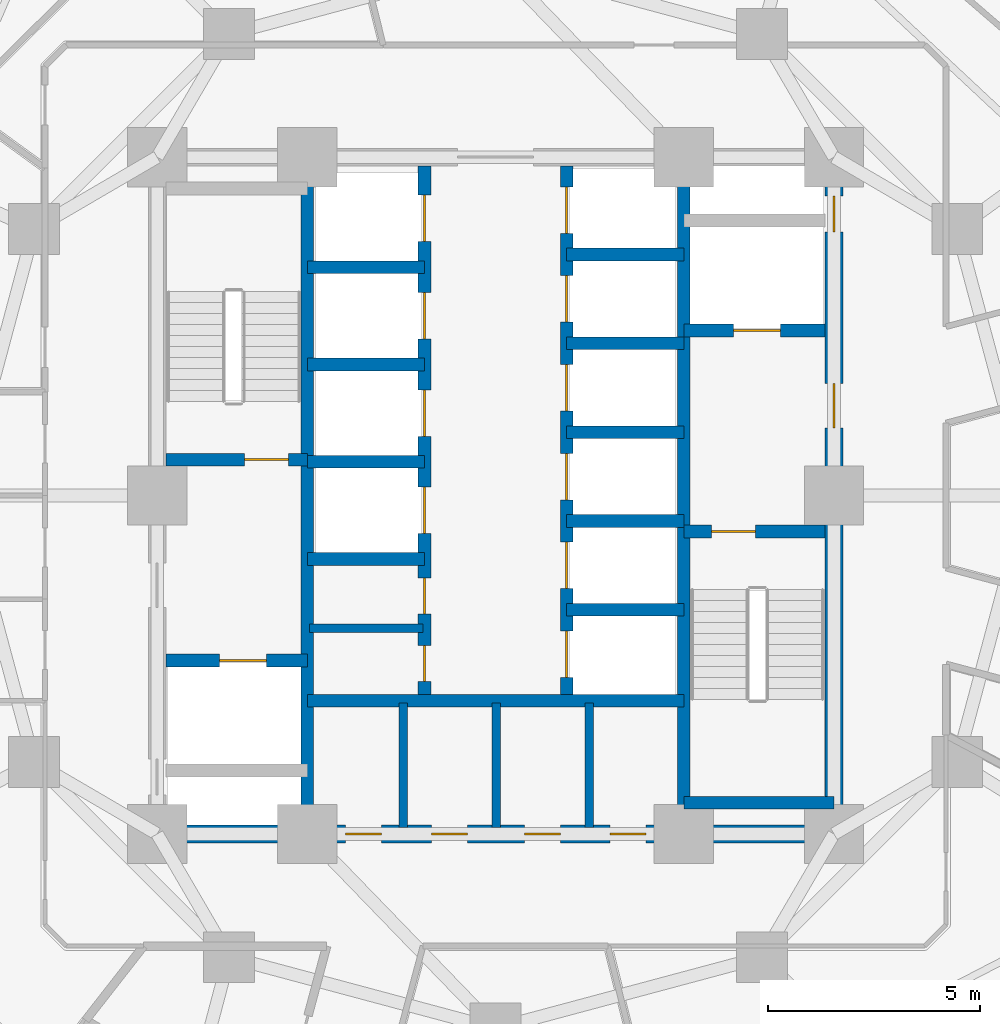
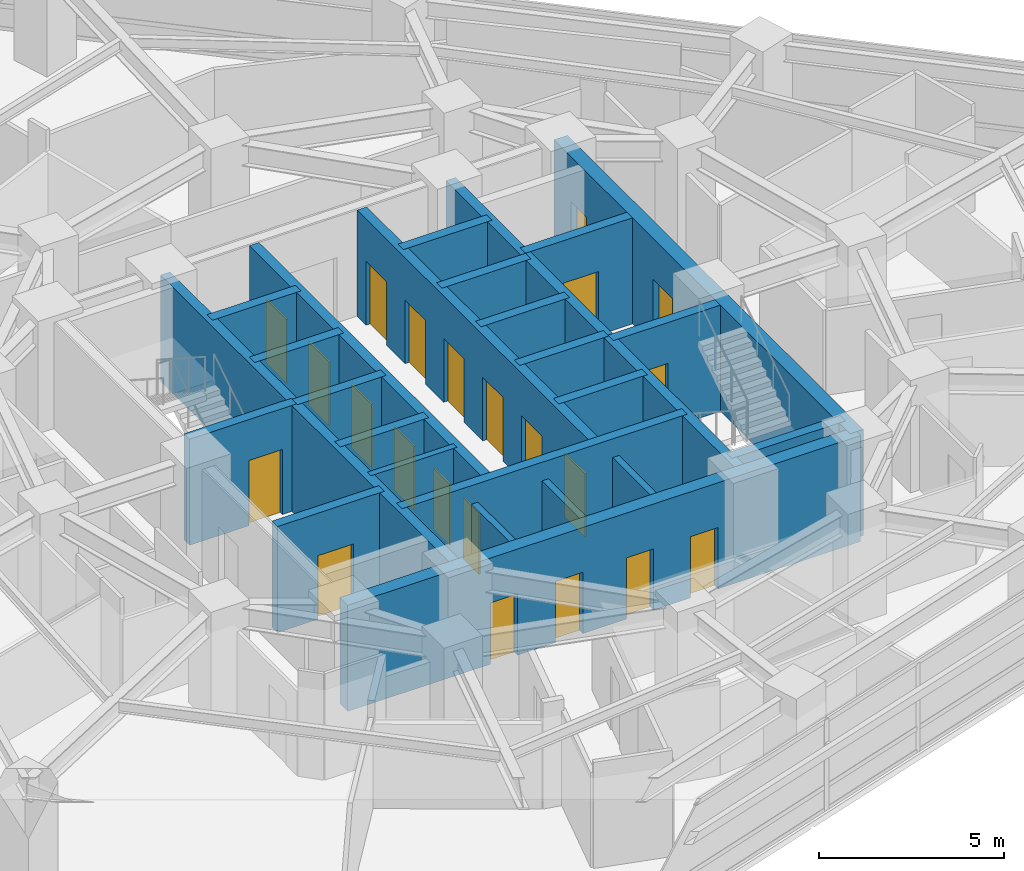
# One storey, part 8 of 14: 25 walls, 22 doors, 22 openings.
"""IFC4 building model written with IfcOpenShell, lengths in metres."""

from ifc_helpers import new_model, si_unit, direction, frame, frame_2d, origin, place, context, subcontext, project, spatial, rectangle, extrude, material, layer, layer_set, type_object, element, fill, save


model = new_model("IFC4")

# Units and contexts
model_context = context("Model", 3, precision=1e-05, world=origin(), true_north=direction((0.0, 1.0)))
body_context = subcontext(model_context, "Body", "Model", "MODEL_VIEW")
ifc_project = project(units=[si_unit("LENGTHUNIT", "METRE"), si_unit("AREAUNIT", "SQUARE_METRE"), si_unit("VOLUMEUNIT", "CUBIC_METRE"), si_unit("PLANEANGLEUNIT", "RADIAN"), si_unit("MASSUNIT", "GRAM", prefix="KILO")], contexts=[model_context])

# Site, building, storey
site_placement = place(None, origin())
site = spatial("IfcSite", under=ifc_project, at=site_placement, CompositionType="ELEMENT")
building_placement = place(site_placement, origin())
building = spatial("IfcBuilding", under=site, at=building_placement, Name="Terralouvre Media Tower", CompositionType="ELEMENT")
storey_placement = place(building_placement, frame((0.0, 0.0, 112.5)))
storey = spatial("IfcBuildingStorey", under=building, at=storey_placement, Name="L28", CompositionType="ELEMENT", Elevation=112.5)

# Walls
ifc_material_1 = material(Name="Concrete C50/60", Category="concrete")
ifc_layer_1 = layer(ifc_material_1, 0.300048828125, Name="Core Internal Shaft Wall CW-300")
ifc_layer_set_1 = layer_set([ifc_layer_1], Name="Concrete C50/60")
wall_type_1 = type_object("IfcWallType", Name="Core Internal Shaft Wall CW-300", PredefinedType="SHEAR", material=ifc_layer_set_1)
for number, where, z_axis, x_axis, name in (
    (1, (-4.449951171875, -7.7900390625, 0.0), (0.0, 0.0, 1.0), (0.0, 1.0, 0.0), "L28 Core Shaft Wall SPW"),
    (2, (4.449951171875, -7.7900390625, 0.0), (0.0, 0.0, 1.0), (0.0, 1.0, 0.0), "L28 Core Shaft Wall SPE"),
):
    element("IfcWall", number, at=place(storey_placement, frame(where, z_axis=z_axis, x_axis=x_axis)), inside=storey, type_object=wall_type_1, Name=name, PredefinedType="SHEAR", context=body_context, shape_type="SweptSolid", body=[
        extrude(rectangle(XDim=15.580078125, YDim=0.300048828125, at=frame_2d((7.7900390625, 0.0))), origin(), (0.0, 0.0, 1.0), 3.5),
    ])

# Wall, opening, door
wall_1_placement = place(storey_placement, frame((-7.7900390625, 0.85009765625, 0.0), z_axis=(0.0, 0.0, 1.0), x_axis=(1.0, 0.0, 0.0)))
wall_1 = element("IfcWall", 3, at=wall_1_placement, inside=storey, type_object=wall_type_1, Name="L28 Core Shaft Wall ST1D", PredefinedType="SHEAR", context=body_context, shape_type="SweptSolid", body=[
    extrude(rectangle(XDim=3.340087890625, YDim=0.300048828125, at=frame_2d((1.669921875, 0.0))), origin(), (0.0, 0.0, 1.0), 3.5),
])
opening_1_placement = place(wall_1_placement, frame((1.85009765625, 0.0, 0.0)))
opening_1 = element("IfcOpeningElement", 4, at=opening_1_placement, cuts=wall_1, Name="Opening FD-01-105X215", PredefinedType="OPENING", context=body_context, shape_type="SweptSolid", body=[
    extrude(rectangle(XDim=1.050048828125, YDim=2.14990234375, at=frame_2d((0.52490234375, 1.074951171875))), frame((0.0, 0.159912109375, 0.0), z_axis=(0.0, -1.0, 0.0), x_axis=(1.0, 0.0, 0.0)), (0.0, 0.0, 1.0), 0.320068359375),
])
ifc_material_2 = material(Name="Galvanised steel fire-resisting leaf", Category="steel")
door_type_1 = type_object("IfcDoorType", Name="Stair and Firefighting Lobby Fire Door FD-01 (1050x2150)", OperationType="NOTDEFINED", PredefinedType="DOOR", material=ifc_material_2)
door_1_placement = place(opening_1_placement, origin())
door_1 = element("IfcDoor", 5, at=door_1_placement, inside=storey, type_object=door_type_1, Name="L28 ST-01 Exit Stair Door", OperationType="SINGLE_SWING_LEFT", OverallHeight=2.14990234375, OverallWidth=1.050048828125, PredefinedType="DOOR", context=body_context, shape_type="SweptSolid", body=[
    extrude(rectangle(XDim=1.050048828125, YDim=2.14990234375, at=frame_2d((0.52490234375, 1.074951171875))), frame((0.0, 0.02490234375, 0.0), z_axis=(0.0, -1.0, 0.0), x_axis=(1.0, 0.0, 0.0)), (0.0, 0.0, 1.0), 0.050048828125),
])
fill(opening_1, door_1)

wall_2_placement = place(storey_placement, frame((4.449951171875, -0.85009765625, 0.0), z_axis=(0.0, 0.0, 1.0), x_axis=(1.0, 0.0, 0.0)))
wall_2 = element("IfcWall", 6, at=wall_2_placement, inside=storey, type_object=wall_type_1, Name="L28 Core Shaft Wall ST2D", PredefinedType="SHEAR", context=body_context, shape_type="SweptSolid", body=[
    extrude(rectangle(XDim=3.340087890625, YDim=0.300048828125, at=frame_2d((1.669921875, 0.0))), origin(), (0.0, 0.0, 1.0), 3.5),
])
opening_2_placement = place(wall_2_placement, frame((0.64990234375, 0.0, 0.0)))
opening_2 = element("IfcOpeningElement", 7, at=opening_2_placement, cuts=wall_2, Name="Opening FD-01-105X215", PredefinedType="OPENING", context=body_context, shape_type="SweptSolid", body=[
    extrude(rectangle(XDim=1.050048828125, YDim=2.14990234375, at=frame_2d((0.52490234375, 1.074951171875))), frame((0.0, 0.159912109375, 0.0), z_axis=(0.0, -1.0, 0.0), x_axis=(1.0, 0.0, 0.0)), (0.0, 0.0, 1.0), 0.320068359375),
])
door_2_placement = place(opening_2_placement, origin())
door_2 = element("IfcDoor", 8, at=door_2_placement, inside=storey, type_object=door_type_1, Name="L28 ST-02 Exit Stair Door", OperationType="SINGLE_SWING_RIGHT", OverallHeight=2.14990234375, OverallWidth=1.050048828125, PredefinedType="DOOR", context=body_context, shape_type="SweptSolid", body=[
    extrude(rectangle(XDim=1.050048828125, YDim=2.14990234375, at=frame_2d((0.52490234375, 1.074951171875))), frame((0.0, 0.02490234375, 0.0), z_axis=(0.0, -1.0, 0.0), x_axis=(1.0, 0.0, 0.0)), (0.0, 0.0, 1.0), 0.050048828125),
])
fill(opening_2, door_2)

# Wall
wall_3_placement = place(storey_placement, frame((4.449951171875, -7.260009765625, 0.0), z_axis=(0.0, 0.0, 1.0), x_axis=(1.0, 0.0, 0.0)))
element("IfcWall", 9, at=wall_3_placement, inside=storey, type_object=wall_type_1, Name="L28 Core Shaft Wall ST2F", PredefinedType="SHEAR", context=body_context, shape_type="SweptSolid", body=[
    extrude(rectangle(XDim=3.550048828125, YDim=0.300048828125, at=frame_2d((1.77490234375, 0.0))), origin(), (0.0, 0.0, 1.0), 3.5),
])

# Wall, opening, door
wall_4_placement = place(storey_placement, frame((-7.7900390625, -3.89990234375, 0.0), z_axis=(0.0, 0.0, 1.0), x_axis=(1.0, 0.0, 0.0)))
wall_4 = element("IfcWall", 10, at=wall_4_placement, inside=storey, type_object=wall_type_1, Name="L28 Core Shaft Wall FF1N", PredefinedType="SHEAR", context=body_context, shape_type="SweptSolid", body=[
    extrude(rectangle(XDim=3.340087890625, YDim=0.300048828125, at=frame_2d((1.669921875, 0.0))), origin(), (0.0, 0.0, 1.0), 3.5),
])
opening_3_placement = place(wall_4_placement, frame((1.27001953125, 0.0, 0.0)))
opening_3 = element("IfcOpeningElement", 11, at=opening_3_placement, cuts=wall_4, Name="Opening LD-FF", PredefinedType="OPENING", context=body_context, shape_type="SweptSolid", body=[
    extrude(rectangle(XDim=1.10009765625, YDim=2.10009765625, at=frame_2d((0.550048828125, 1.050048828125))), frame((0.0, 0.159912109375, 0.0), z_axis=(0.0, -1.0, 0.0), x_axis=(1.0, 0.0, 0.0)), (0.0, 0.0, 1.0), 0.320068359375),
])
ifc_material_3 = material(Name="Stainless steel 316 handrail and balustrade", Category="steel")
door_type_2 = type_object("IfcDoorType", Name="Firefighting Lift Sliding Landing Door LD-FF", OperationType="SLIDING_TO_LEFT", PredefinedType="DOOR", material=ifc_material_3)
door_3_placement = place(opening_3_placement, origin())
door_3 = element("IfcDoor", 12, at=door_3_placement, inside=storey, type_object=door_type_2, Name="L28 Firefighting Lift FFL-01 Landing Door", OperationType="SLIDING_TO_LEFT", OverallHeight=2.10009765625, OverallWidth=1.10009765625, PredefinedType="DOOR", context=body_context, shape_type="SweptSolid", body=[
    extrude(rectangle(XDim=1.10009765625, YDim=2.10009765625, at=frame_2d((0.550048828125, 1.050048828125))), frame((0.0, 0.02490234375, 0.0), z_axis=(0.0, -1.0, 0.0), x_axis=(1.0, 0.0, 0.0)), (0.0, 0.0, 1.0), 0.050048828125),
])
fill(opening_3, door_3)

wall_5_placement = place(storey_placement, frame((4.449951171875, 3.89990234375, 0.0), z_axis=(0.0, 0.0, 1.0), x_axis=(1.0, 0.0, 0.0)))
wall_5 = element("IfcWall", 13, at=wall_5_placement, inside=storey, type_object=wall_type_1, Name="L28 Core Shaft Wall FF2S", PredefinedType="SHEAR", context=body_context, shape_type="SweptSolid", body=[
    extrude(rectangle(XDim=3.340087890625, YDim=0.300048828125, at=frame_2d((1.669921875, 0.0))), origin(), (0.0, 0.0, 1.0), 3.5),
])
opening_4_placement = place(wall_5_placement, frame((1.179931640625, 0.0, 0.0)))
opening_4 = element("IfcOpeningElement", 14, at=opening_4_placement, cuts=wall_5, Name="Opening LD-FF", PredefinedType="OPENING", context=body_context, shape_type="SweptSolid", body=[
    extrude(rectangle(XDim=1.10009765625, YDim=2.10009765625, at=frame_2d((0.550048828125, 1.050048828125))), frame((0.0, 0.159912109375, 0.0), z_axis=(0.0, -1.0, 0.0), x_axis=(1.0, 0.0, 0.0)), (0.0, 0.0, 1.0), 0.320068359375),
])
door_4_placement = place(opening_4_placement, origin())
door_4 = element("IfcDoor", 15, at=door_4_placement, inside=storey, type_object=door_type_2, Name="L28 Firefighting Lift FFL-02 Landing Door", OperationType="SLIDING_TO_LEFT", OverallHeight=2.10009765625, OverallWidth=1.10009765625, PredefinedType="DOOR", context=body_context, shape_type="SweptSolid", body=[
    extrude(rectangle(XDim=1.10009765625, YDim=2.10009765625, at=frame_2d((0.550048828125, 1.050048828125))), frame((0.0, 0.02490234375, 0.0), z_axis=(0.0, -1.0, 0.0), x_axis=(1.0, 0.0, 0.0)), (0.0, 0.0, 1.0), 0.050048828125),
])
fill(opening_4, door_4)

# Wall
wall_6_placement = place(storey_placement, frame((-4.449951171875, -4.85009765625, 0.0), z_axis=(0.0, 0.0, 1.0), x_axis=(1.0, 0.0, 0.0)))
element("IfcWall", 16, at=wall_6_placement, inside=storey, type_object=wall_type_1, Name="L28 Core Shaft Wall CSBN", PredefinedType="SHEAR", context=body_context, shape_type="SweptSolid", body=[
    extrude(rectangle(XDim=8.89990234375, YDim=0.300048828125, at=frame_2d((4.449951171875, 0.0))), origin(), (0.0, 0.0, 1.0), 3.5),
])

# Wall, openings, doors
wall_7_placement = place(storey_placement, frame((-1.679931640625, -4.85009765625, 0.0), z_axis=(0.0, 0.0, 1.0), x_axis=(0.0, 1.0, 0.0)))
wall_7 = element("IfcWall", 17, at=wall_7_placement, inside=storey, type_object=wall_type_1, Name="L28 Core Shaft Wall LBW", PredefinedType="SHEAR", context=body_context, shape_type="SweptSolid", body=[
    extrude(rectangle(XDim=12.64013671875, YDim=0.300048828125, at=frame_2d((6.320068359375, 0.0))), origin(), (0.0, 0.0, 1.0), 3.5),
])
opening_5_placement = place(wall_7_placement, frame((3.949951171875, 0.0, 0.0)))
opening_5 = element("IfcOpeningElement", 18, at=opening_5_placement, cuts=wall_7, Name="Opening LD-PL", PredefinedType="OPENING", context=body_context, shape_type="SweptSolid", body=[
    extrude(rectangle(XDim=1.10009765625, YDim=2.10009765625, at=frame_2d((0.550048828125, 1.050048828125))), frame((0.0, 0.159912109375, 0.0), z_axis=(0.0, -1.0, 0.0), x_axis=(1.0, 0.0, 0.0)), (0.0, 0.0, 1.0), 0.320068359375),
])
opening_6_placement = place(wall_7_placement, frame((6.25, 0.0, 0.0)))
opening_6 = element("IfcOpeningElement", 19, at=opening_6_placement, cuts=wall_7, Name="Opening LD-PL", PredefinedType="OPENING", context=body_context, shape_type="SweptSolid", body=[
    extrude(rectangle(XDim=1.10009765625, YDim=2.10009765625, at=frame_2d((0.550048828125, 1.050048828125))), frame((0.0, 0.159912109375, 0.0), z_axis=(0.0, -1.0, 0.0), x_axis=(1.0, 0.0, 0.0)), (0.0, 0.0, 1.0), 0.320068359375),
])
opening_7_placement = place(wall_7_placement, frame((8.550048828125, 0.0, 0.0)))
opening_7 = element("IfcOpeningElement", 20, at=opening_7_placement, cuts=wall_7, Name="Opening LD-PL", PredefinedType="OPENING", context=body_context, shape_type="SweptSolid", body=[
    extrude(rectangle(XDim=1.10009765625, YDim=2.10009765625, at=frame_2d((0.550048828125, 1.050048828125))), frame((0.0, 0.159912109375, 0.0), z_axis=(0.0, -1.0, 0.0), x_axis=(1.0, 0.0, 0.0)), (0.0, 0.0, 1.0), 0.320068359375),
])
opening_8_placement = place(wall_7_placement, frame((10.85009765625, 0.0, 0.0)))
opening_8 = element("IfcOpeningElement", 21, at=opening_8_placement, cuts=wall_7, Name="Opening LD-PL", PredefinedType="OPENING", context=body_context, shape_type="SweptSolid", body=[
    extrude(rectangle(XDim=1.10009765625, YDim=2.10009765625, at=frame_2d((0.550048828125, 1.050048828125))), frame((0.0, 0.159912109375, 0.0), z_axis=(0.0, -1.0, 0.0), x_axis=(1.0, 0.0, 0.0)), (0.0, 0.0, 1.0), 0.320068359375),
])
opening_9_placement = place(wall_7_placement, frame((0.449951171875, 0.0, 0.0)))
opening_9 = element("IfcOpeningElement", 22, at=opening_9_placement, cuts=wall_7, Name="Opening TD-R1", PredefinedType="OPENING", context=body_context, shape_type="SweptSolid", body=[
    extrude(rectangle(XDim=0.85009765625, YDim=2.02001953125, at=frame_2d((0.425048828125, 1.010009765625))), frame((0.0, 0.159912109375, 0.0), z_axis=(0.0, -1.0, 0.0), x_axis=(1.0, 0.0, 0.0)), (0.0, 0.0, 1.0), 0.320068359375),
])
opening_10_placement = place(wall_7_placement, frame((2.050048828125, 0.0, 0.0)))
opening_10 = element("IfcOpeningElement", 23, at=opening_10_placement, cuts=wall_7, Name="Opening TD-R1", PredefinedType="OPENING", context=body_context, shape_type="SweptSolid", body=[
    extrude(rectangle(XDim=0.85009765625, YDim=2.02001953125, at=frame_2d((0.425048828125, 1.010009765625))), frame((0.0, 0.159912109375, 0.0), z_axis=(0.0, -1.0, 0.0), x_axis=(1.0, 0.0, 0.0)), (0.0, 0.0, 1.0), 0.320068359375),
])
ifc_material_4 = material(Name="Stainless steel 316 handrail and balustrade", Category="steel")
door_type_3 = type_object("IfcDoorType", Name="Passenger Lift Sliding Landing Door LD-PL", OperationType="SLIDING_TO_LEFT", PredefinedType="DOOR", material=ifc_material_4)
door_5_placement = place(opening_5_placement, origin())
door_5 = element("IfcDoor", 24, at=door_5_placement, inside=storey, type_object=door_type_3, Name="L28 Low-Rise Lift PL-L1 Landing Door", OperationType="SLIDING_TO_LEFT", OverallHeight=2.10009765625, OverallWidth=1.10009765625, PredefinedType="DOOR", context=body_context, shape_type="SweptSolid", body=[
    extrude(rectangle(XDim=1.10009765625, YDim=2.10009765625, at=frame_2d((0.550048828125, 1.050048828125))), frame((0.0, 0.02490234375, 0.0), z_axis=(0.0, -1.0, 0.0), x_axis=(1.0, 0.0, 0.0)), (0.0, 0.0, 1.0), 0.050048828125),
])
fill(opening_5, door_5)
door_6_placement = place(opening_6_placement, origin())
door_6 = element("IfcDoor", 25, at=door_6_placement, inside=storey, type_object=door_type_3, Name="L28 Low-Rise Lift PL-L2 Landing Door", OperationType="SLIDING_TO_LEFT", OverallHeight=2.10009765625, OverallWidth=1.10009765625, PredefinedType="DOOR", context=body_context, shape_type="SweptSolid", body=[
    extrude(rectangle(XDim=1.10009765625, YDim=2.10009765625, at=frame_2d((0.550048828125, 1.050048828125))), frame((0.0, 0.02490234375, 0.0), z_axis=(0.0, -1.0, 0.0), x_axis=(1.0, 0.0, 0.0)), (0.0, 0.0, 1.0), 0.050048828125),
])
fill(opening_6, door_6)
door_7_placement = place(opening_7_placement, origin())
door_7 = element("IfcDoor", 26, at=door_7_placement, inside=storey, type_object=door_type_3, Name="L28 Low-Rise Lift PL-L3 Landing Door", OperationType="SLIDING_TO_LEFT", OverallHeight=2.10009765625, OverallWidth=1.10009765625, PredefinedType="DOOR", context=body_context, shape_type="SweptSolid", body=[
    extrude(rectangle(XDim=1.10009765625, YDim=2.10009765625, at=frame_2d((0.550048828125, 1.050048828125))), frame((0.0, 0.02490234375, 0.0), z_axis=(0.0, -1.0, 0.0), x_axis=(1.0, 0.0, 0.0)), (0.0, 0.0, 1.0), 0.050048828125),
])
fill(opening_7, door_7)
door_8_placement = place(opening_8_placement, origin())
door_8 = element("IfcDoor", 27, at=door_8_placement, inside=storey, type_object=door_type_3, Name="L28 Low-Rise Lift PL-L4 Landing Door", OperationType="SLIDING_TO_LEFT", OverallHeight=2.10009765625, OverallWidth=1.10009765625, PredefinedType="DOOR", context=body_context, shape_type="SweptSolid", body=[
    extrude(rectangle(XDim=1.10009765625, YDim=2.10009765625, at=frame_2d((0.550048828125, 1.050048828125))), frame((0.0, 0.02490234375, 0.0), z_axis=(0.0, -1.0, 0.0), x_axis=(1.0, 0.0, 0.0)), (0.0, 0.0, 1.0), 0.050048828125),
])
fill(opening_8, door_8)
ifc_material_5 = material(Name="Galvanised steel fire-resisting leaf", Category="steel")
door_type_4 = type_object("IfcDoorType", Name="Riser Inspection Access Trapdoor TD-R1", OperationType="NOTDEFINED", PredefinedType="TRAPDOOR", material=ifc_material_5)
door_9_placement = place(opening_9_placement, origin())
door_9 = element("IfcDoor", 28, at=door_9_placement, inside=storey, type_object=door_type_4, Name="L28 Core Cleaners Closet Door", OperationType="SINGLE_SWING_LEFT", OverallHeight=2.02001953125, OverallWidth=0.85009765625, PredefinedType="TRAPDOOR", context=body_context, shape_type="SweptSolid", body=[
    extrude(rectangle(XDim=0.85009765625, YDim=2.02001953125, at=frame_2d((0.425048828125, 1.010009765625))), frame((0.0, 0.02490234375, 0.0), z_axis=(0.0, -1.0, 0.0), x_axis=(1.0, 0.0, 0.0)), (0.0, 0.0, 1.0), 0.050048828125),
])
fill(opening_9, door_9)
door_10_placement = place(opening_10_placement, origin())
door_10 = element("IfcDoor", 29, at=door_10_placement, inside=storey, type_object=door_type_4, Name="L28 Core Metering Closet Door", OperationType="SINGLE_SWING_RIGHT", OverallHeight=2.02001953125, OverallWidth=0.85009765625, PredefinedType="TRAPDOOR", context=body_context, shape_type="SweptSolid", body=[
    extrude(rectangle(XDim=0.85009765625, YDim=2.02001953125, at=frame_2d((0.425048828125, 1.010009765625))), frame((0.0, 0.02490234375, 0.0), z_axis=(0.0, -1.0, 0.0), x_axis=(1.0, 0.0, 0.0)), (0.0, 0.0, 1.0), 0.050048828125),
])
fill(opening_10, door_10)

wall_8_placement = place(storey_placement, frame((1.679931640625, -4.85009765625, 0.0), z_axis=(0.0, 0.0, 1.0), x_axis=(0.0, 1.0, 0.0)))
wall_8 = element("IfcWall", 30, at=wall_8_placement, inside=storey, type_object=wall_type_1, Name="L28 Core Shaft Wall LBE", PredefinedType="SHEAR", context=body_context, shape_type="SweptSolid", body=[
    extrude(rectangle(XDim=12.64013671875, YDim=0.300048828125, at=frame_2d((6.320068359375, 0.0))), origin(), (0.0, 0.0, 1.0), 3.5),
])
opening_11_placement = place(wall_8_placement, frame((0.550048828125, 0.0, 0.0)))
opening_11 = element("IfcOpeningElement", 31, at=opening_11_placement, cuts=wall_8, Name="Opening LD-PL", PredefinedType="OPENING", context=body_context, shape_type="SweptSolid", body=[
    extrude(rectangle(XDim=1.10009765625, YDim=2.10009765625, at=frame_2d((0.550048828125, 1.050048828125))), frame((0.0, 0.159912109375, 0.0), z_axis=(0.0, -1.0, 0.0), x_axis=(1.0, 0.0, 0.0)), (0.0, 0.0, 1.0), 0.320068359375),
])
opening_12_placement = place(wall_8_placement, frame((2.64990234375, 0.0, 0.0)))
opening_12 = element("IfcOpeningElement", 32, at=opening_12_placement, cuts=wall_8, Name="Opening LD-PL", PredefinedType="OPENING", context=body_context, shape_type="SweptSolid", body=[
    extrude(rectangle(XDim=1.10009765625, YDim=2.10009765625, at=frame_2d((0.550048828125, 1.050048828125))), frame((0.0, 0.159912109375, 0.0), z_axis=(0.0, -1.0, 0.0), x_axis=(1.0, 0.0, 0.0)), (0.0, 0.0, 1.0), 0.320068359375),
])
opening_13_placement = place(wall_8_placement, frame((4.75, 0.0, 0.0)))
opening_13 = element("IfcOpeningElement", 33, at=opening_13_placement, cuts=wall_8, Name="Opening LD-PL", PredefinedType="OPENING", context=body_context, shape_type="SweptSolid", body=[
    extrude(rectangle(XDim=1.10009765625, YDim=2.10009765625, at=frame_2d((0.550048828125, 1.050048828125))), frame((0.0, 0.159912109375, 0.0), z_axis=(0.0, -1.0, 0.0), x_axis=(1.0, 0.0, 0.0)), (0.0, 0.0, 1.0), 0.320068359375),
])
opening_14_placement = place(wall_8_placement, frame((6.85009765625, 0.0, 0.0)))
opening_14 = element("IfcOpeningElement", 34, at=opening_14_placement, cuts=wall_8, Name="Opening LD-PL", PredefinedType="OPENING", context=body_context, shape_type="SweptSolid", body=[
    extrude(rectangle(XDim=1.10009765625, YDim=2.10009765625, at=frame_2d((0.550048828125, 1.050048828125))), frame((0.0, 0.159912109375, 0.0), z_axis=(0.0, -1.0, 0.0), x_axis=(1.0, 0.0, 0.0)), (0.0, 0.0, 1.0), 0.320068359375),
])
opening_15_placement = place(wall_8_placement, frame((8.949951171875, 0.0, 0.0)))
opening_15 = element("IfcOpeningElement", 35, at=opening_15_placement, cuts=wall_8, Name="Opening LD-PL", PredefinedType="OPENING", context=body_context, shape_type="SweptSolid", body=[
    extrude(rectangle(XDim=1.10009765625, YDim=2.10009765625, at=frame_2d((0.550048828125, 1.050048828125))), frame((0.0, 0.159912109375, 0.0), z_axis=(0.0, -1.0, 0.0), x_axis=(1.0, 0.0, 0.0)), (0.0, 0.0, 1.0), 0.320068359375),
])
opening_16_placement = place(wall_8_placement, frame((11.050048828125, 0.0, 0.0)))
opening_16 = element("IfcOpeningElement", 36, at=opening_16_placement, cuts=wall_8, Name="Opening LD-PL", PredefinedType="OPENING", context=body_context, shape_type="SweptSolid", body=[
    extrude(rectangle(XDim=1.10009765625, YDim=2.10009765625, at=frame_2d((0.550048828125, 1.050048828125))), frame((0.0, 0.159912109375, 0.0), z_axis=(0.0, -1.0, 0.0), x_axis=(1.0, 0.0, 0.0)), (0.0, 0.0, 1.0), 0.320068359375),
])
door_11_placement = place(opening_11_placement, origin())
door_11 = element("IfcDoor", 37, at=door_11_placement, inside=storey, type_object=door_type_3, Name="L28 High-Rise Lift PL-H1 Landing Door", OperationType="SLIDING_TO_LEFT", OverallHeight=2.10009765625, OverallWidth=1.10009765625, PredefinedType="DOOR", context=body_context, shape_type="SweptSolid", body=[
    extrude(rectangle(XDim=1.10009765625, YDim=2.10009765625, at=frame_2d((0.550048828125, 1.050048828125))), frame((0.0, 0.02490234375, 0.0), z_axis=(0.0, -1.0, 0.0), x_axis=(1.0, 0.0, 0.0)), (0.0, 0.0, 1.0), 0.050048828125),
])
fill(opening_11, door_11)
door_12_placement = place(opening_12_placement, origin())
door_12 = element("IfcDoor", 38, at=door_12_placement, inside=storey, type_object=door_type_3, Name="L28 High-Rise Lift PL-H2 Landing Door", OperationType="SLIDING_TO_LEFT", OverallHeight=2.10009765625, OverallWidth=1.10009765625, PredefinedType="DOOR", context=body_context, shape_type="SweptSolid", body=[
    extrude(rectangle(XDim=1.10009765625, YDim=2.10009765625, at=frame_2d((0.550048828125, 1.050048828125))), frame((0.0, 0.02490234375, 0.0), z_axis=(0.0, -1.0, 0.0), x_axis=(1.0, 0.0, 0.0)), (0.0, 0.0, 1.0), 0.050048828125),
])
fill(opening_12, door_12)
door_13_placement = place(opening_13_placement, origin())
door_13 = element("IfcDoor", 39, at=door_13_placement, inside=storey, type_object=door_type_3, Name="L28 High-Rise Lift PL-H3 Landing Door", OperationType="SLIDING_TO_LEFT", OverallHeight=2.10009765625, OverallWidth=1.10009765625, PredefinedType="DOOR", context=body_context, shape_type="SweptSolid", body=[
    extrude(rectangle(XDim=1.10009765625, YDim=2.10009765625, at=frame_2d((0.550048828125, 1.050048828125))), frame((0.0, 0.02490234375, 0.0), z_axis=(0.0, -1.0, 0.0), x_axis=(1.0, 0.0, 0.0)), (0.0, 0.0, 1.0), 0.050048828125),
])
fill(opening_13, door_13)
door_14_placement = place(opening_14_placement, origin())
door_14 = element("IfcDoor", 40, at=door_14_placement, inside=storey, type_object=door_type_3, Name="L28 Mid-Rise Lift PL-M1 Landing Door", OperationType="SLIDING_TO_LEFT", OverallHeight=2.10009765625, OverallWidth=1.10009765625, PredefinedType="DOOR", context=body_context, shape_type="SweptSolid", body=[
    extrude(rectangle(XDim=1.10009765625, YDim=2.10009765625, at=frame_2d((0.550048828125, 1.050048828125))), frame((0.0, 0.02490234375, 0.0), z_axis=(0.0, -1.0, 0.0), x_axis=(1.0, 0.0, 0.0)), (0.0, 0.0, 1.0), 0.050048828125),
])
fill(opening_14, door_14)
door_15_placement = place(opening_15_placement, origin())
door_15 = element("IfcDoor", 41, at=door_15_placement, inside=storey, type_object=door_type_3, Name="L28 Mid-Rise Lift PL-M2 Landing Door", OperationType="SLIDING_TO_LEFT", OverallHeight=2.10009765625, OverallWidth=1.10009765625, PredefinedType="DOOR", context=body_context, shape_type="SweptSolid", body=[
    extrude(rectangle(XDim=1.10009765625, YDim=2.10009765625, at=frame_2d((0.550048828125, 1.050048828125))), frame((0.0, 0.02490234375, 0.0), z_axis=(0.0, -1.0, 0.0), x_axis=(1.0, 0.0, 0.0)), (0.0, 0.0, 1.0), 0.050048828125),
])
fill(opening_15, door_15)
door_16_placement = place(opening_16_placement, origin())
door_16 = element("IfcDoor", 42, at=door_16_placement, inside=storey, type_object=door_type_3, Name="L28 Mid-Rise Lift PL-M3 Landing Door", OperationType="SLIDING_TO_LEFT", OverallHeight=2.10009765625, OverallWidth=1.10009765625, PredefinedType="DOOR", context=body_context, shape_type="SweptSolid", body=[
    extrude(rectangle(XDim=1.10009765625, YDim=2.10009765625, at=frame_2d((0.550048828125, 1.050048828125))), frame((0.0, 0.02490234375, 0.0), z_axis=(0.0, -1.0, 0.0), x_axis=(1.0, 0.0, 0.0)), (0.0, 0.0, 1.0), 0.050048828125),
])
fill(opening_16, door_16)

# Walls
for number, where, z_axis, x_axis, name in (
    (43, (-4.449951171875, -1.5, 0.0), (0.0, 0.0, 1.0), (1.0, 0.0, 0.0), "L28 Core Shaft Wall PLLD0"),
    (44, (-4.449951171875, 0.800048828125, 0.0), (0.0, 0.0, 1.0), (1.0, 0.0, 0.0), "L28 Core Shaft Wall PLLD1"),
    (45, (-4.449951171875, 3.10009765625, 0.0), (0.0, 0.0, 1.0), (1.0, 0.0, 0.0), "L28 Core Shaft Wall PLLD2"),
    (46, (-4.449951171875, 5.39990234375, 0.0), (0.0, 0.0, 1.0), (1.0, 0.0, 0.0), "L28 Core Shaft Wall PLLD3"),
    (47, (1.679931640625, 1.5, 0.0), (0.0, 0.0, 1.0), (1.0, 0.0, 0.0), "L28 Core Shaft Wall PLMD0"),
    (48, (1.679931640625, 3.60009765625, 0.0), (0.0, 0.0, 1.0), (1.0, 0.0, 0.0), "L28 Core Shaft Wall PLMD1"),
    (49, (1.679931640625, 5.699951171875, 0.0), (0.0, 0.0, 1.0), (1.0, 0.0, 0.0), "L28 Core Shaft Wall PLMD2"),
    (50, (1.679931640625, -2.699951171875, 0.0), (0.0, 0.0, 1.0), (1.0, 0.0, 0.0), "L28 Core Shaft Wall PLHD1"),
    (51, (1.679931640625, -0.60009765625, 0.0), (0.0, 0.0, 1.0), (1.0, 0.0, 0.0), "L28 Core Shaft Wall PLHD2"),
):
    element("IfcWall", number, at=place(storey_placement, frame(where, z_axis=z_axis, x_axis=x_axis)), inside=storey, type_object=wall_type_1, Name=name, PredefinedType="SHEAR", context=body_context, shape_type="SweptSolid", body=[
        extrude(rectangle(XDim=2.77001953125, YDim=0.300048828125, at=frame_2d((1.385009765625, 0.0))), origin(), (0.0, 0.0, 1.0), 3.5),
    ])

# Wall, openings, doors
ifc_material_6 = material(Name="Concrete C60/75", Category="concrete")
ifc_layer_2 = layer(ifc_material_6, 0.419921875, Name="Core Reinforced Concrete Shear Wall CW-420")
ifc_layer_set_2 = layer_set([ifc_layer_2], Name="Concrete C60/75")
wall_type_2 = type_object("IfcWallType", Name="Core Reinforced Concrete Shear Wall CW-420", PredefinedType="SHEAR", material=ifc_layer_set_2)
wall_9_placement = place(storey_placement, frame((8.0, -8.0, 0.0), z_axis=(0.0, 0.0, 1.0), x_axis=(0.0, 1.0, 0.0)))
wall_9 = element("IfcWall", 52, at=wall_9_placement, inside=storey, type_object=wall_type_2, Name="L28 E Core Shear Wall", PredefinedType="SHEAR", context=body_context, shape_type="SweptSolid", body=[
    extrude(rectangle(XDim=16.0, YDim=0.419921875, at=frame_2d((8.0, 0.0))), origin(), (0.0, 0.0, 1.0), 3.5),
])
opening_17_placement = place(wall_9_placement, frame((9.60009765625, 0.0, 0.0)))
opening_17 = element("IfcOpeningElement", 53, at=opening_17_placement, cuts=wall_9, Name="Opening FD-01-105X215", PredefinedType="OPENING", context=body_context, shape_type="SweptSolid", body=[
    extrude(rectangle(XDim=1.050048828125, YDim=2.14990234375, at=frame_2d((0.52490234375, 1.074951171875))), frame((0.0, 0.219970703125, 0.0), z_axis=(0.0, -1.0, 0.0), x_axis=(1.0, 0.0, 0.0)), (0.0, 0.0, 1.0), 0.43994140625),
])
opening_18_placement = place(wall_9_placement, frame((14.228515625, 0.0, 0.0)))
opening_18 = element("IfcOpeningElement", 54, at=opening_18_placement, cuts=wall_9, Name="Opening TD-R1", PredefinedType="OPENING", context=body_context, shape_type="SweptSolid", body=[
    extrude(rectangle(XDim=0.85009765625, YDim=2.02001953125, at=frame_2d((0.425048828125, 1.010009765625))), frame((0.0, 0.219970703125, 0.0), z_axis=(0.0, -1.0, 0.0), x_axis=(1.0, 0.0, 0.0)), (0.0, 0.0, 1.0), 0.43994140625),
])
door_17_placement = place(opening_18_placement, origin())
door_17 = element("IfcDoor", 55, at=door_17_placement, inside=storey, type_object=door_type_4, Name="L28 East Comms Riser Access Trapdoor", OperationType="SINGLE_SWING_RIGHT", OverallHeight=2.02001953125, OverallWidth=0.85009765625, PredefinedType="TRAPDOOR", context=body_context, shape_type="SweptSolid", body=[
    extrude(rectangle(XDim=0.85009765625, YDim=2.02001953125, at=frame_2d((0.425048828125, 1.010009765625))), frame((0.0, 0.02490234375, 0.0), z_axis=(0.0, -1.0, 0.0), x_axis=(1.0, 0.0, 0.0)), (0.0, 0.0, 1.0), 0.050048828125),
])
fill(opening_18, door_17)
door_18_placement = place(opening_17_placement, origin())
door_18 = element("IfcDoor", 56, at=door_18_placement, inside=storey, type_object=door_type_1, Name="L28 East Firefighting Lobby Entry Door", OperationType="SINGLE_SWING_LEFT", OverallHeight=2.14990234375, OverallWidth=1.050048828125, PredefinedType="DOOR", context=body_context, shape_type="SweptSolid", body=[
    extrude(rectangle(XDim=1.050048828125, YDim=2.14990234375, at=frame_2d((0.52490234375, 1.074951171875))), frame((0.0, 0.02490234375, 0.0), z_axis=(0.0, -1.0, 0.0), x_axis=(1.0, 0.0, 0.0)), (0.0, 0.0, 1.0), 0.050048828125),
])
fill(opening_17, door_18)

wall_10_placement = place(storey_placement, frame((-8.0, -8.0, 0.0), z_axis=(0.0, 0.0, 1.0), x_axis=(1.0, 0.0, 0.0)))
wall_10 = element("IfcWall", 57, at=wall_10_placement, inside=storey, type_object=wall_type_2, Name="L28 S Core Shear Wall", PredefinedType="SHEAR", context=body_context, shape_type="SweptSolid", body=[
    extrude(rectangle(XDim=16.0, YDim=0.419921875, at=frame_2d((8.0, 0.0))), origin(), (0.0, 0.0, 1.0), 3.5),
])
opening_19_placement = place(wall_10_placement, frame((4.44873046875, 0.0, 0.0)))
opening_19 = element("IfcOpeningElement", 58, at=opening_19_placement, cuts=wall_10, Name="Opening TD-R1", PredefinedType="OPENING", context=body_context, shape_type="SweptSolid", body=[
    extrude(rectangle(XDim=0.85009765625, YDim=2.02001953125, at=frame_2d((0.425048828125, 1.010009765625))), frame((0.0, 0.219970703125, 0.0), z_axis=(0.0, -1.0, 0.0), x_axis=(1.0, 0.0, 0.0)), (0.0, 0.0, 1.0), 0.43994140625),
])
opening_20_placement = place(wall_10_placement, frame((6.489990234375, 0.0, 0.0)))
opening_20 = element("IfcOpeningElement", 59, at=opening_20_placement, cuts=wall_10, Name="Opening TD-R1", PredefinedType="OPENING", context=body_context, shape_type="SweptSolid", body=[
    extrude(rectangle(XDim=0.85009765625, YDim=2.02001953125, at=frame_2d((0.425048828125, 1.010009765625))), frame((0.0, 0.219970703125, 0.0), z_axis=(0.0, -1.0, 0.0), x_axis=(1.0, 0.0, 0.0)), (0.0, 0.0, 1.0), 0.43994140625),
])
opening_21_placement = place(wall_10_placement, frame((8.68994140625, 0.0, 0.0)))
opening_21 = element("IfcOpeningElement", 60, at=opening_21_placement, cuts=wall_10, Name="Opening TD-R1", PredefinedType="OPENING", context=body_context, shape_type="SweptSolid", body=[
    extrude(rectangle(XDim=0.85009765625, YDim=2.02001953125, at=frame_2d((0.425048828125, 1.010009765625))), frame((0.0, 0.219970703125, 0.0), z_axis=(0.0, -1.0, 0.0), x_axis=(1.0, 0.0, 0.0)), (0.0, 0.0, 1.0), 0.43994140625),
])
opening_22_placement = place(wall_10_placement, frame((10.701416015625, 0.0, 0.0)))
opening_22 = element("IfcOpeningElement", 61, at=opening_22_placement, cuts=wall_10, Name="Opening TD-R1", PredefinedType="OPENING", context=body_context, shape_type="SweptSolid", body=[
    extrude(rectangle(XDim=0.85009765625, YDim=2.02001953125, at=frame_2d((0.425048828125, 1.010009765625))), frame((0.0, 0.219970703125, 0.0), z_axis=(0.0, -1.0, 0.0), x_axis=(1.0, 0.0, 0.0)), (0.0, 0.0, 1.0), 0.43994140625),
])
door_19_placement = place(opening_19_placement, origin())
door_19 = element("IfcDoor", 62, at=door_19_placement, inside=storey, type_object=door_type_4, Name="L28 Core Battery Plant Door", OperationType="SINGLE_SWING_LEFT", OverallHeight=2.02001953125, OverallWidth=0.85009765625, PredefinedType="TRAPDOOR", context=body_context, shape_type="SweptSolid", body=[
    extrude(rectangle(XDim=0.85009765625, YDim=2.02001953125, at=frame_2d((0.425048828125, 1.010009765625))), frame((0.0, 0.02490234375, 0.0), z_axis=(0.0, -1.0, 0.0), x_axis=(1.0, 0.0, 0.0)), (0.0, 0.0, 1.0), 0.050048828125),
])
fill(opening_19, door_19)
door_20_placement = place(opening_20_placement, origin())
door_20 = element("IfcDoor", 63, at=door_20_placement, inside=storey, type_object=door_type_4, Name="L28 Core IT Patch Plant Door", OperationType="SINGLE_SWING_RIGHT", OverallHeight=2.02001953125, OverallWidth=0.85009765625, PredefinedType="TRAPDOOR", context=body_context, shape_type="SweptSolid", body=[
    extrude(rectangle(XDim=0.85009765625, YDim=2.02001953125, at=frame_2d((0.425048828125, 1.010009765625))), frame((0.0, 0.02490234375, 0.0), z_axis=(0.0, -1.0, 0.0), x_axis=(1.0, 0.0, 0.0)), (0.0, 0.0, 1.0), 0.050048828125),
])
fill(opening_20, door_20)
door_21_placement = place(opening_21_placement, origin())
door_21 = element("IfcDoor", 64, at=door_21_placement, inside=storey, type_object=door_type_4, Name="L28 Core Housekeeping Store Door", OperationType="SINGLE_SWING_LEFT", OverallHeight=2.02001953125, OverallWidth=0.85009765625, PredefinedType="TRAPDOOR", context=body_context, shape_type="SweptSolid", body=[
    extrude(rectangle(XDim=0.85009765625, YDim=2.02001953125, at=frame_2d((0.425048828125, 1.010009765625))), frame((0.0, 0.02490234375, 0.0), z_axis=(0.0, -1.0, 0.0), x_axis=(1.0, 0.0, 0.0)), (0.0, 0.0, 1.0), 0.050048828125),
])
fill(opening_21, door_21)
door_22_placement = place(opening_22_placement, origin())
door_22 = element("IfcDoor", 65, at=door_22_placement, inside=storey, type_object=door_type_4, Name="L28 Core Smoke Damper Plant Door", OperationType="SINGLE_SWING_RIGHT", OverallHeight=2.02001953125, OverallWidth=0.85009765625, PredefinedType="TRAPDOOR", context=body_context, shape_type="SweptSolid", body=[
    extrude(rectangle(XDim=0.85009765625, YDim=2.02001953125, at=frame_2d((0.425048828125, 1.010009765625))), frame((0.0, 0.02490234375, 0.0), z_axis=(0.0, -1.0, 0.0), x_axis=(1.0, 0.0, 0.0)), (0.0, 0.0, 1.0), 0.050048828125),
])
fill(opening_22, door_22)

# Walls
ifc_material_7 = material(Name="Fire-rated gypsum board drywall partition")
ifc_layer_3 = layer(ifc_material_7, 0.199951171875, Name="Fire-Rated Shaft and Lobby Partition FW-200")
ifc_layer_set_3 = layer_set([ifc_layer_3], Name="Fire-rated gypsum board drywall partition")
wall_type_3 = type_object("IfcWallType", Name="Fire-Rated Shaft and Lobby Partition FW-200", PredefinedType="SOLIDWALL", material=ifc_layer_set_3)
for number, where, z_axis, x_axis, name in (
    (66, (-2.179931640625, -7.85009765625, 0.0), (0.0, 0.0, 1.0), (0.0, 1.0, 0.0), "L28 Core Service Bay Partition 1"),
    (67, (0.02001953125, -7.85009765625, 0.0), (0.0, 0.0, 1.0), (0.0, 1.0, 0.0), "L28 Core Service Bay Partition 2"),
    (68, (2.219970703125, -7.85009765625, 0.0), (0.0, 0.0, 1.0), (0.0, 1.0, 0.0), "L28 Core Service Bay Partition 3"),
):
    element("IfcWall", number, at=place(storey_placement, frame(where, z_axis=z_axis, x_axis=x_axis)), inside=storey, type_object=wall_type_3, Name=name, PredefinedType="SOLIDWALL", context=body_context, shape_type="SweptSolid", body=[
        extrude(rectangle(XDim=2.9501953125, YDim=0.199951171875, at=frame_2d((1.47509765625, 0.0))), origin(), (0.0, 0.0, 1.0), 2.885009765625),
    ])
wall_11_placement = place(storey_placement, frame((-4.39990234375, -3.139892578125, 0.0), z_axis=(0.0, 0.0, 1.0), x_axis=(1.0, 0.0, 0.0)))
element("IfcWall", 69, at=wall_11_placement, inside=storey, type_object=wall_type_3, Name="L28 Core West Sub-Partition 1", PredefinedType="SOLIDWALL", context=body_context, shape_type="SweptSolid", body=[
    extrude(rectangle(XDim=2.679931640625, YDim=0.199951171875, at=frame_2d((1.33984375, 0.0))), origin(), (0.0, 0.0, 1.0), 3.5),
])

save(model, "model.ifc")
